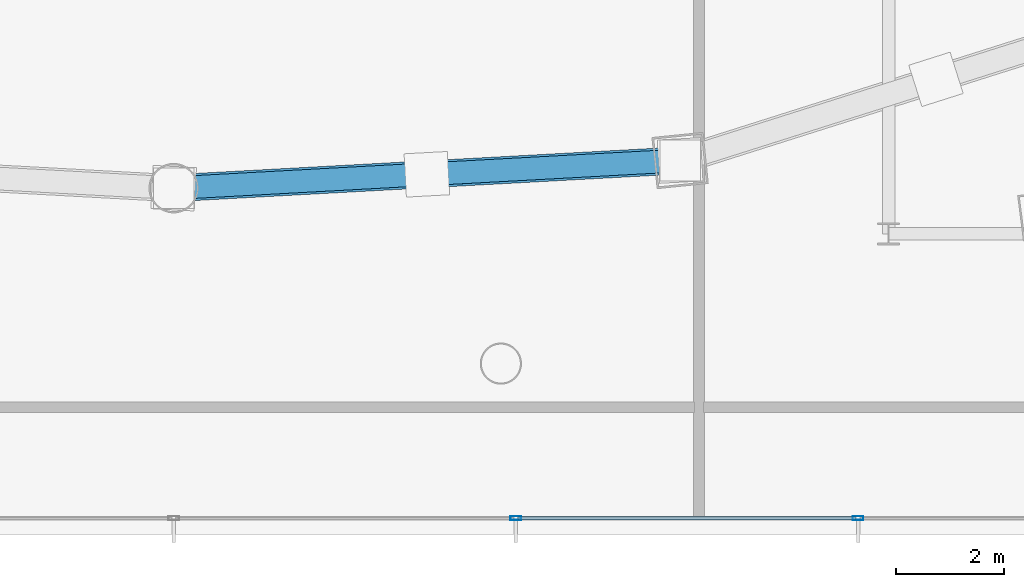
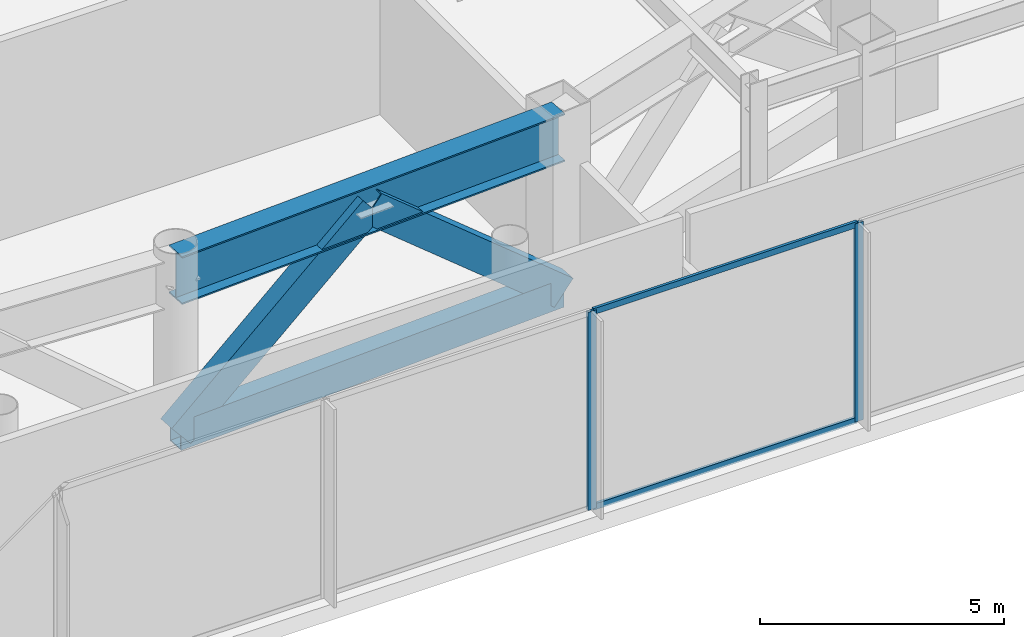
# One storey, part 12 of 43: 7 members, 1 beam, 1 element without a shape of its own.
"""IFC4 building model written with IfcOpenShell, lengths in metres."""

import ifcopenshell
import ifcopenshell.guid

model = None  # the IFC model being written
_history = None  # IfcOwnerHistory: only IFC2X3 demands one
_inside = {}  # id of a spatial element -> (the spatial element, [elements in it])
_under = {}  # id of a project, library or spatial element -> (it, [spatial elements below it])
_declared = {}  # id of a project -> (the project, [libraries it declares])
_typed = {}  # id of a type object -> (the type object, [elements of that type])
_made_of = {}  # id of a material, layer set ... -> (it, [elements and type objects made of it])


def new_model(schema):
    """Start an empty IFC model of exactly this schema.

    Asked for "IFC4X3", IfcOpenShell would pick the latest addendum, in which some entities
    have other attributes; the version numbers below select the first issue.
    IFC2X3 requires an IfcOwnerHistory on every rooted entity: one is made here for all.
    """
    global model, _history
    if schema == "IFC4X3":
        model = ifcopenshell.file(schema_version=(4, 3, 0, 0))
    else:
        model = ifcopenshell.file(schema=schema)
    _inside.clear()
    _under.clear()
    _declared.clear()
    _typed.clear()
    _made_of.clear()
    _history = None
    if model.schema == "IFC2X3":
        org = make("IfcOrganization", Name="unknown")
        user = make(
            "IfcPersonAndOrganization",
            ThePerson=make("IfcPerson", FamilyName="unknown"),
            TheOrganization=org,
        )
        app = make(
            "IfcApplication",
            ApplicationDeveloper=org,
            Version="unknown",
            ApplicationFullName="unknown",
            ApplicationIdentifier="unknown",
        )
        _history = make(
            "IfcOwnerHistory",
            OwningUser=user,
            OwningApplication=app,
            ChangeAction="ADDED",
            CreationDate=0,
        )
    return model


def make(cls, **values):
    """One entity of the class cls with the attributes given. An attribute that is None is left unset."""
    return model.create_entity(
        cls, **{name: value for name, value in values.items() if value is not None}
    )


def rooted(cls, **values):
    """An entity with a GlobalId (a new one), such as an element, a storey or a relation."""
    return make(cls, GlobalId=ifcopenshell.guid.new(), OwnerHistory=_history, **values)


def si_unit(unit_type, name, prefix=None):
    """IfcSIUnit, for example si_unit("LENGTHUNIT", "METRE", prefix="MILLI")."""
    return make("IfcSIUnit", UnitType=unit_type, Prefix=prefix, Name=name)


def assignment(units):
    """IfcUnitAssignment: the units of a project."""
    return None if units is None else make("IfcUnitAssignment", Units=units)


def point(xyz):
    """IfcCartesianPoint."""
    return None if xyz is None else make("IfcCartesianPoint", Coordinates=xyz)


def direction(xyz):
    """IfcDirection."""
    return None if xyz is None else make("IfcDirection", DirectionRatios=xyz)


def frame(location, z_axis=None, x_axis=None):
    """IfcAxis2Placement3D, a coordinate frame: its origin and axes. An axis left out is left unset."""
    return make(
        "IfcAxis2Placement3D",
        Location=point(location),
        Axis=direction(z_axis),
        RefDirection=direction(x_axis),
    )


def frame_2d(location, x_axis=None):
    """IfcAxis2Placement2D, a coordinate frame in the plane: its origin and x axis."""
    return make(
        "IfcAxis2Placement2D", Location=point(location), RefDirection=direction(x_axis)
    )


def origin():
    """The frame at (0, 0, 0) with its axes left unset."""
    return frame((0.0, 0.0, 0.0))


def origin_2d():
    """The frame at (0, 0) in the plane with its x axis left unset."""
    return frame_2d((0.0, 0.0))


def place(relative_to, where):
    """IfcLocalPlacement: puts the frame where relative to a parent placement (None: the world)."""
    return make(
        "IfcLocalPlacement", PlacementRelTo=relative_to, RelativePlacement=where
    )


def context(
    kind, dimensions, precision=None, world=None, true_north=None, identifier=None
):
    """IfcGeometricRepresentationContext, for example the 3D "Model" context."""
    return make(
        "IfcGeometricRepresentationContext",
        ContextIdentifier=identifier,
        ContextType=kind,
        CoordinateSpaceDimension=dimensions,
        Precision=precision,
        WorldCoordinateSystem=world,
        TrueNorth=true_north,
    )


def subcontext(parent, identifier, kind, view, scale=None):
    """IfcGeometricRepresentationSubContext, for example "Body" below "Model"."""
    return make(
        "IfcGeometricRepresentationSubContext",
        ContextIdentifier=identifier,
        ContextType=kind,
        ParentContext=parent,
        TargetScale=scale,
        TargetView=view,
    )


def project(units=None, contexts=None):
    """IfcProject with its units and contexts."""
    return rooted(
        "IfcProject",
        Name="project",
        RepresentationContexts=contexts,
        UnitsInContext=assignment(units),
    )


def spatial(cls, under=None, at=None, **own):
    """A site, building, storey or space (cls), placed at a placement, below another one or the project."""
    s = rooted(cls, ObjectPlacement=at, **own)
    if under is not None:
        _under.setdefault(under.id(), (under, []))[1].append(s)
    return s


def profile(cls, at=None, kind="AREA", **sizes):
    """A parametric profile (cls). Its sizes go by their IFC names, for example OverallWidth=200.0."""
    return make(cls, ProfileType=kind, Position=at, **sizes)


def hollow_rectangle(**sizes):
    """IfcRectangleHollowProfileDef."""
    return profile("IfcRectangleHollowProfileDef", **sizes)


def i_section(**sizes):
    """IfcIShapeProfileDef."""
    return profile("IfcIShapeProfileDef", **sizes)


def extrude(swept, where, along, depth):
    """IfcExtrudedAreaSolid: the profile swept, set in the frame where, extruded along a direction by depth."""
    return make(
        "IfcExtrudedAreaSolid",
        SweptArea=swept,
        Position=where,
        ExtrudedDirection=direction(along),
        Depth=depth,
    )


def shape(context_of_items, identifier, shape_type, items):
    """IfcShapeRepresentation: the items that make up one representation, for example the "Body"."""
    return make(
        "IfcShapeRepresentation",
        ContextOfItems=context_of_items,
        RepresentationIdentifier=identifier,
        RepresentationType=shape_type,
        Items=items,
    )


def material(Name=None, Category=None):
    """IfcMaterial."""
    return make("IfcMaterial", Name=Name, Category=Category)


def layer(
    of_material, thickness, ventilated=None, Name=None, Category=None, Priority=None
):
    """IfcMaterialLayer: one layer of a wall or slab, of a material (None: an air gap)."""
    return make(
        "IfcMaterialLayer",
        Material=of_material,
        LayerThickness=thickness,
        IsVentilated=ventilated,
        Name=Name,
        Category=Category,
        Priority=Priority,
    )


def layer_set(layers, Name=None):
    """IfcMaterialLayerSet."""
    return make("IfcMaterialLayerSet", MaterialLayers=layers, LayerSetName=Name)


def material_profile(
    of_material, cross_section, Name=None, Category=None, Priority=None
):
    """IfcMaterialProfile: a cross section and its material."""
    return make(
        "IfcMaterialProfile",
        Name=Name,
        Material=of_material,
        Profile=cross_section,
        Priority=Priority,
        Category=Category,
    )


def profile_set(profiles, Name=None, composite=None):
    """IfcMaterialProfileSet."""
    return make(
        "IfcMaterialProfileSet",
        Name=Name,
        MaterialProfiles=profiles,
        CompositeProfile=composite,
    )


def made_of(thing, what):
    """Note that an element or type object is made of a material, layer set ...; save() writes the relation."""
    if what is not None:
        _made_of.setdefault(what.id(), (what, []))[1].append(thing)
    return thing


def type_object(cls, material=None, **own):
    """A type object (cls), such as IfcWallType, which elements share."""
    return made_of(rooted(cls, **own), material)


def element(
    cls,
    number,
    at=None,
    inside=None,
    cuts=None,
    type_object=None,
    material=None,
    context=None,
    identifier="Body",
    shape_type=None,
    held_by="IfcProductDefinitionShape",
    body=None,
    shapes=None,
    **own,
):
    """One element of the class cls, such as IfcWall. Its Tag is "e" and its number.

    at: its placement. inside: the storey or other place that contains it. cuts: it is an
    opening in that element (IfcRelVoidsElement). A single representation is given by context,
    identifier, shape_type and body (its items); several are given by shapes. held_by: the class
    of the entity that holds the representations. save() writes the other relations.
    """
    e = rooted(cls, Tag="e%d" % number, ObjectPlacement=at, **own)
    if body is not None:
        shapes = [shape(context, identifier, shape_type, body)]
    if shapes is not None:
        e.Representation = make(held_by, Representations=shapes)
    if inside is not None:
        _inside.setdefault(inside.id(), (inside, []))[1].append(e)
    if cuts is not None:
        rooted(
            "IfcRelVoidsElement", RelatingBuildingElement=cuts, RelatedOpeningElement=e
        )
    if type_object is not None:
        _typed.setdefault(type_object.id(), (type_object, []))[1].append(e)
    return made_of(e, material)


def aggregate(whole, parts):
    """IfcRelAggregates: a whole, such as a stair, and the parts it consists of."""
    return rooted("IfcRelAggregates", RelatingObject=whole, RelatedObjects=parts)


def save(model, path):
    """Write the relations noted so far, then the file.

    IfcRelAggregates (storeys below a building ...), IfcRelContainedInSpatialStructure (elements
    in a storey), IfcRelDefinesByType, IfcRelAssociatesMaterial and IfcRelDeclares: one each for
    every whole, place, type object, material and project.
    """
    for whole, parts in _under.values():
        aggregate(whole, parts)
    for where, things in _inside.values():
        rooted(
            "IfcRelContainedInSpatialStructure",
            RelatedElements=things,
            RelatingStructure=where,
        )
    for kind, things in _typed.values():
        rooted("IfcRelDefinesByType", RelatedObjects=things, RelatingType=kind)
    for what, things in _made_of.values():
        rooted("IfcRelAssociatesMaterial", RelatedObjects=things, RelatingMaterial=what)
    for by, libraries in _declared.values():
        rooted("IfcRelDeclares", RelatingContext=by, RelatedDefinitions=libraries)
    model.write(path)


model = new_model("IFC4")

# Units and contexts
model_context = context("Model", 3, precision=1e-05, world=origin(), true_north=direction((0.0, 1.0)))
body_context = subcontext(model_context, "Body", "Model", "MODEL_VIEW")
ifc_project = project(units=[si_unit("LENGTHUNIT", "METRE"), si_unit("AREAUNIT", "SQUARE_METRE"), si_unit("VOLUMEUNIT", "CUBIC_METRE"), si_unit("PLANEANGLEUNIT", "RADIAN"), si_unit("MASSUNIT", "GRAM", prefix="KILO")], contexts=[model_context])

# Site, building, storey
site_placement = place(None, origin())
site = spatial("IfcSite", under=ifc_project, at=site_placement, CompositionType="ELEMENT")
building_placement = place(site_placement, origin())
building = spatial("IfcBuilding", under=site, at=building_placement, Name="Orvanel Arch Residences", CompositionType="ELEMENT")
storey_placement = place(building_placement, frame((0.0, 0.0, 18.39990234375)))
storey = spatial("IfcBuildingStorey", under=building, at=storey_placement, Name="L04", CompositionType="ELEMENT", Elevation=18.39990234375)

# Members
ifc_material_1 = material(Name="Structural steel AS/NZS 3678 Grade 350", Category="steel")
ifc_material_profile_1 = material_profile(ifc_material_1, hollow_rectangle(XDim=0.419921875, YDim=0.719970703125, WallThickness=0.02490234375, at=origin_2d()), Name="RHS720x420x25")
ifc_profile_set_1 = profile_set([ifc_material_profile_1], Name="Structural steel AS/NZS 3678 Grade 350")
member_type_1 = type_object("IfcMemberType", Name="BR-720RHS", PredefinedType="BRACE", material=ifc_profile_set_1)
member_1_placement = place(storey_placement, frame((33.0, 6.843994140625, 0.4501953125), z_axis=(0.766410888305, 0.04198470008, 0.640977094167), x_axis=(-0.054698915632, 0.998502893651, 0.0)))
element("IfcMember", 1, at=member_1_placement, inside=storey, type_object=member_type_1, Name="L04 Transfer Truss Chevron Web 03.1", PredefinedType="BRACE", context=body_context, shape_type="SweptSolid", body=[
    extrude(hollow_rectangle(XDim=0.419921875, YDim=0.719970703125, WallThickness=0.02490234375, at=origin_2d()), origin(), (0.0, 0.0, 1.0), 6.099853515625),
])
member_2_placement = place(storey_placement, frame((42.35107421875, 7.35498046875, 0.4501953125), z_axis=(-0.766483356314, -0.041779805983, 0.640903824537), x_axis=(0.054427635214, -0.998517717682, 0.0)))
element("IfcMember", 2, at=member_2_placement, inside=storey, type_object=member_type_1, Name="L04 Transfer Truss Chevron Web 03.2", PredefinedType="BRACE", context=body_context, shape_type="SweptSolid", body=[
    extrude(hollow_rectangle(XDim=0.419921875, YDim=0.719970703125, WallThickness=0.02490234375, at=origin_2d()), origin(), (0.0, 0.0, 1.0), 6.1005859375),
])
ifc_material_profile_2 = material_profile(ifc_material_1, hollow_rectangle(XDim=0.419921875, YDim=0.719970703125, WallThickness=0.02490234375, at=origin_2d()), Name="RHS720x420x25")
ifc_profile_set_2 = profile_set([ifc_material_profile_2], Name="Structural steel AS/NZS 3678 Grade 350")
member_type_2 = type_object("IfcMemberType", Name="CH-720RHS", PredefinedType="CHORD", material=ifc_profile_set_2)
member_3_placement = place(storey_placement, frame((33.0, 6.843994140625, 0.4501953125), z_axis=(0.998510315598, 0.054563262768, 0.0), x_axis=(-0.054563262768, 0.998510315598, 0.0)))
element("IfcMember", 3, at=member_3_placement, inside=storey, type_object=member_type_2, Name="L04 Transfer Truss Bottom Chord 03", PredefinedType="CHORD", context=body_context, shape_type="SweptSolid", body=[
    extrude(hollow_rectangle(XDim=0.419921875, YDim=0.719970703125, WallThickness=0.02490234375, at=origin_2d()), origin(), (0.0, 0.0, 1.0), 9.364990234375),
])

# Curtain wall, members
ifc_material_2 = material(Name="Bronze-anodised aluminium AA6063-T6", Category="aluminium")
ifc_layer = layer(ifc_material_2, 0.199951171875)
ifc_layer_set = layer_set([ifc_layer], Name="Bronze-anodised aluminium AA6063-T6")
curtain_wall_type = type_object("IfcCurtainWallType", Name="CW1-POD-SYS", PredefinedType="NOTDEFINED", material=ifc_layer_set)
curtain_wall_placement = place(storey_placement, origin())
curtain_wall = element("IfcCurtainWall", 4, at=curtain_wall_placement, inside=storey, type_object=curtain_wall_type, Name="L04 CW1-POD-SYS Unitised Curtain Wall", PredefinedType="NOTDEFINED")
ifc_material_profile_3 = material_profile(ifc_material_2, hollow_rectangle(XDim=0.074951171875, YDim=0.199951171875, WallThickness=0.0048828125, at=origin_2d()), Name="ALU200x75x5")
ifc_profile_set_3 = profile_set([ifc_material_profile_3], Name="Bronze-anodised aluminium AA6063-T6")
member_type_3 = type_object("IfcMemberType", Name="MUL-200x75", PredefinedType="MULLION", material=ifc_profile_set_3)
member_4_placement = place(storey_placement, frame((39.318115234375, 0.75, 0.0), z_axis=(0.0, 0.0, 1.0), x_axis=(0.0, 1.0, 0.0)))
member_4 = element("IfcMember", 5, at=member_4_placement, type_object=member_type_3, Name="CW-S1 mullion 7", PredefinedType="MULLION", context=body_context, shape_type="SweptSolid", body=[
    extrude(hollow_rectangle(XDim=0.074951171875, YDim=0.199951171875, WallThickness=0.0048828125, at=origin_2d()), origin(), (0.0, 0.0, 1.0), 4.960205078125),
])
member_5_placement = place(storey_placement, frame((45.635986328125, 0.75, 0.0), z_axis=(0.0, 0.0, 1.0), x_axis=(0.0, 1.0, 0.0)))
member_5 = element("IfcMember", 6, at=member_5_placement, type_object=member_type_3, Name="CW-S1 mullion 8", PredefinedType="MULLION", context=body_context, shape_type="SweptSolid", body=[
    extrude(hollow_rectangle(XDim=0.074951171875, YDim=0.199951171875, WallThickness=0.0048828125, at=origin_2d()), origin(), (0.0, 0.0, 1.0), 4.960205078125),
])

# Beam
ifc_material_profile_4 = material_profile(ifc_material_1, i_section(OverallWidth=0.5, OverallDepth=1.199951171875, WebThickness=0.02001953125, FlangeThickness=0.035888671875, at=origin_2d()), Name="1200WB455")
ifc_profile_set_4 = profile_set([ifc_material_profile_4], Name="Structural steel AS/NZS 3678 Grade 350")
beam_type = type_object("IfcBeamType", Name="TG-1200WB", PredefinedType="USERDEFINED", material=ifc_profile_set_4)
beam_placement = place(storey_placement, frame((33.0, 6.843994140625, 4.360107421875), z_axis=(0.998510315598, 0.054563262768, 0.0), x_axis=(-0.054563262768, 0.998510315598, 0.0)))
element("IfcBeam", 7, at=beam_placement, inside=storey, type_object=beam_type, Name="L04 Podium Transfer Belt Girder 03", ObjectType="TRANSFER GIRDER", PredefinedType="USERDEFINED", context=body_context, shape_type="SweptSolid", body=[
    extrude(i_section(OverallWidth=0.5, OverallDepth=1.199951171875, WebThickness=0.02001953125, FlangeThickness=0.035888671875, at=origin_2d()), origin(), (0.0, 0.0, 1.0), 9.364990234375),
])

# Member
ifc_material_profile_5 = material_profile(ifc_material_2, hollow_rectangle(XDim=0.06494140625, YDim=0.14990234375, WallThickness=0.00390625, at=origin_2d()), Name="ALU150x65x4")
ifc_profile_set_5 = profile_set([ifc_material_profile_5], Name="Bronze-anodised aluminium AA6063-T6")
member_type_4 = type_object("IfcMemberType", Name="TRN-150x65", PredefinedType="USERDEFINED", material=ifc_profile_set_5)
member_6_placement = place(storey_placement, frame((39.35546875, 0.75, 0.03271484375), z_axis=(1.0, 0.0, 0.0), x_axis=(0.0, 1.0, 0.0)))
member_6 = element("IfcMember", 8, at=member_6_placement, type_object=member_type_4, Name="CW-S1 transom 7.1", ObjectType="TRANSOM", PredefinedType="USERDEFINED", context=body_context, shape_type="SweptSolid", body=[
    extrude(hollow_rectangle(XDim=0.06494140625, YDim=0.14990234375, WallThickness=0.00390625, at=origin_2d()), origin(), (0.0, 0.0, 1.0), 6.242919921875),
])

member_7_placement = place(storey_placement, frame((39.35546875, 0.75, 4.927490234375), z_axis=(1.0, 0.0, 0.0), x_axis=(0.0, 1.0, 0.0)))
member_7 = element("IfcMember", 9, at=member_7_placement, type_object=member_type_4, Name="CW-S1 transom 7.2", ObjectType="TRANSOM", PredefinedType="USERDEFINED", context=body_context, shape_type="SweptSolid", body=[
    extrude(hollow_rectangle(XDim=0.06494140625, YDim=0.14990234375, WallThickness=0.00390625, at=origin_2d()), origin(), (0.0, 0.0, 1.0), 6.242919921875),
])

aggregate(curtain_wall, [member_4, member_5, member_6, member_7])

save(model, "model.ifc")
